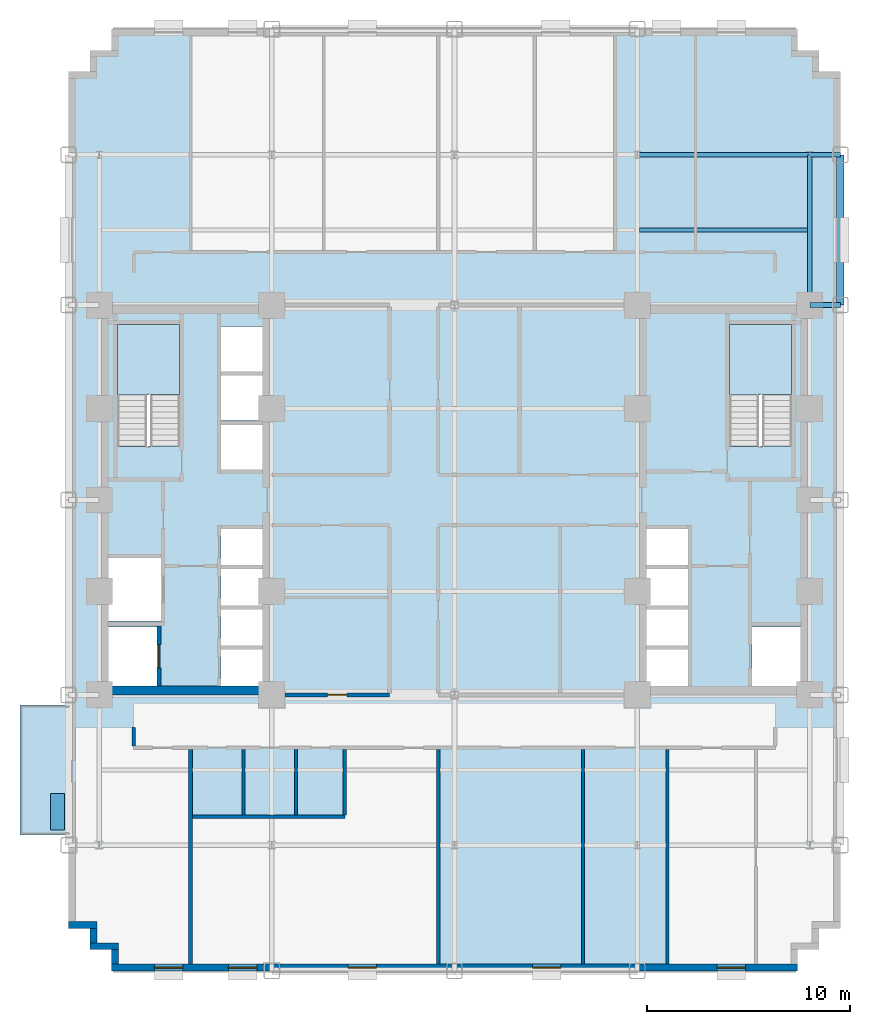
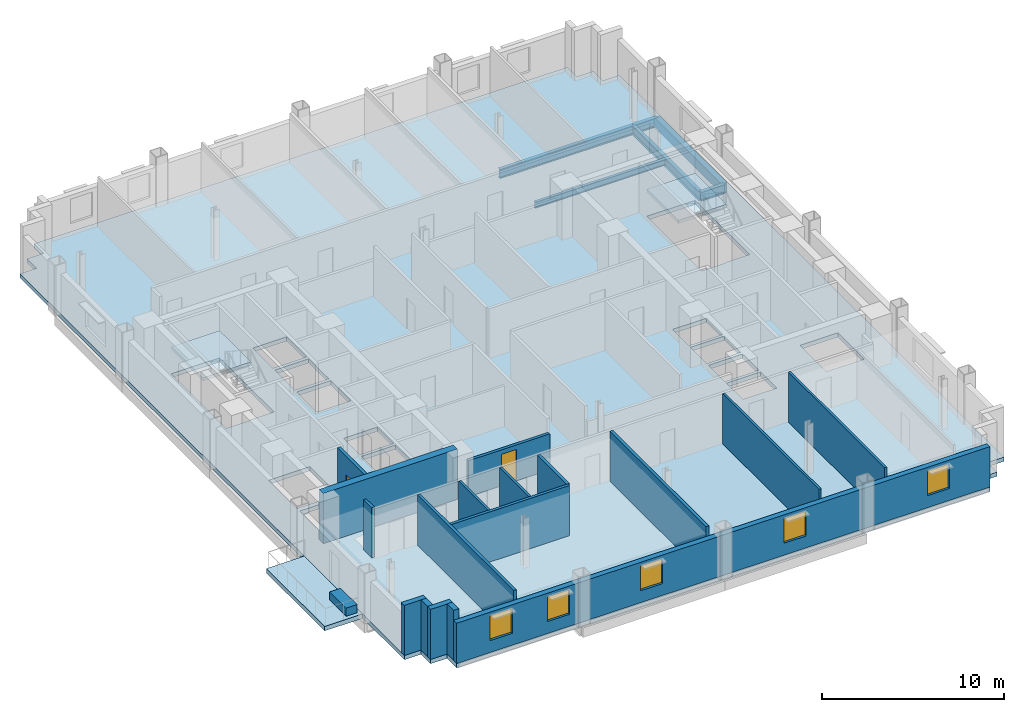
# One storey, part 4 of 12: 17 walls, 6 beams, 5 windows, 4 slabs, 2 doors, 1 plate, 7 openings, 2 elements without a shape of their own.
"""IFC4 building model written with IfcOpenShell, lengths in metres."""

from ifc_helpers import new_model, si_unit, direction, frame, frame_2d, origin, origin_2d, place, context, subcontext, project, spatial, polyline, rectangle, i_section, outline, extrude, source, transform, mapped, material, layer, layer_set, material_profile, profile_set, type_object, type_shapes, element, fill, aggregate, save


model = new_model("IFC4")

# Units and contexts
model_context = context("Model", 3, precision=1e-05, world=origin(), true_north=direction((0.0, 1.0)))
body_context = subcontext(model_context, "Body", "Model", "MODEL_VIEW")
ifc_project = project(units=[si_unit("LENGTHUNIT", "METRE"), si_unit("AREAUNIT", "SQUARE_METRE"), si_unit("VOLUMEUNIT", "CUBIC_METRE"), si_unit("PLANEANGLEUNIT", "RADIAN"), si_unit("MASSUNIT", "GRAM", prefix="KILO")], contexts=[model_context])

# Site, building, storey
site_placement = place(None, origin())
site = spatial("IfcSite", under=ifc_project, at=site_placement, CompositionType="ELEMENT")
building_placement = place(site_placement, origin())
building = spatial("IfcBuilding", under=site, at=building_placement, Name="Nuvemarco Arch Tower", CompositionType="ELEMENT")
storey_placement = place(building_placement, frame((0.0, 0.0, 49.5)))
storey = spatial("IfcBuildingStorey", under=building, at=storey_placement, Name="L12", CompositionType="ELEMENT", Elevation=49.5)

# Beams
ifc_material_1 = material(Name="Steel S355", Category="steel")
ifc_material_profile_1 = material_profile(ifc_material_1, i_section(OverallWidth=0.22998046875, OverallDepth=0.616943359375, WebThickness=0.01318359375, FlangeThickness=0.022216796875, FilletRadius=0.01611328125, at=origin_2d()), Name="W610x140")
ifc_profile_set_1 = profile_set([ifc_material_profile_1], Name="Steel S355")
beam_type_1 = type_object("IfcBeamType", Name="BM-GIRD-610", PredefinedType="BEAM", material=ifc_profile_set_1)
beam_1_placement = place(storey_placement, frame((17.5, 9.60009765625, -0.58837890625), z_axis=(0.0, 1.0, 0.0), x_axis=(-1.0, 0.0, 0.0)))
element("IfcBeam", 1, at=beam_1_placement, inside=storey, type_object=beam_type_1, Name="L12 structural beam BGNS_L12_0_+17.5_+9.6", PredefinedType="BEAM", context=body_context, shape_type="SweptSolid", body=[
    extrude(i_section(OverallWidth=0.22998046875, OverallDepth=0.616943359375, WebThickness=0.01318359375, FlangeThickness=0.022216796875, FilletRadius=0.01611328125, at=origin_2d()), origin(), (0.0, 0.0, 1.0), 7.39990234375),
])
beam_2_placement = place(storey_placement, frame((17.5, 9.60009765625, -0.58837890625), z_axis=(1.0, 0.0, 0.0), x_axis=(0.0, 1.0, 0.0)))
element("IfcBeam", 2, at=beam_2_placement, inside=storey, type_object=beam_type_1, Name="L12 structural beam BGEW_L12_0_+9.6_+17.5", PredefinedType="BEAM", context=body_context, shape_type="SweptSolid", body=[
    extrude(i_section(OverallWidth=0.22998046875, OverallDepth=0.616943359375, WebThickness=0.01318359375, FlangeThickness=0.022216796875, FilletRadius=0.01611328125, at=origin_2d()), origin(), (0.0, 0.0, 1.0), 1.5),
])
beam_3_placement = place(storey_placement, frame((9.0, 17.0, -0.58837890625), z_axis=(1.0, 0.0, 0.0), x_axis=(0.0, 1.0, 0.0)))
element("IfcBeam", 3, at=beam_3_placement, inside=storey, type_object=beam_type_1, Name="L12 structural beam BGEW_L12_0_+17.0_+9.0", PredefinedType="BEAM", context=body_context, shape_type="SweptSolid", body=[
    extrude(i_section(OverallWidth=0.22998046875, OverallDepth=0.616943359375, WebThickness=0.01318359375, FlangeThickness=0.022216796875, FilletRadius=0.01611328125, at=origin_2d()), origin(), (0.0, 0.0, 1.0), 8.5),
])
beam_4_placement = place(storey_placement, frame((17.5, 17.0, -0.58837890625), z_axis=(1.0, 0.0, 0.0), x_axis=(0.0, 1.0, 0.0)))
element("IfcBeam", 4, at=beam_4_placement, inside=storey, type_object=beam_type_1, Name="L12 structural beam BGEW_L12_0_+17.0_+17.5", PredefinedType="BEAM", context=body_context, shape_type="SweptSolid", body=[
    extrude(i_section(OverallWidth=0.22998046875, OverallDepth=0.616943359375, WebThickness=0.01318359375, FlangeThickness=0.022216796875, FilletRadius=0.01611328125, at=origin_2d()), origin(), (0.0, 0.0, 1.0), 1.5),
])
ifc_material_profile_2 = material_profile(ifc_material_1, i_section(OverallWidth=0.179931640625, OverallDepth=0.4130859375, WebThickness=0.009765625, FlangeThickness=0.01611328125, FilletRadius=0.014892578125, at=origin_2d()), Name="W410x75")
ifc_profile_set_2 = profile_set([ifc_material_profile_2], Name="Steel S355")
beam_type_2 = type_object("IfcBeamType", Name="BM-JOIST-410", PredefinedType="JOIST", material=ifc_profile_set_2)
beam_5_placement = place(storey_placement, frame((9.114990234375, 13.300048828125, -0.486572265625), z_axis=(1.0, 0.0, 0.0), x_axis=(0.0, 1.0, 0.0)))
element("IfcBeam", 5, at=beam_5_placement, inside=storey, type_object=beam_type_2, Name="L12 structural beam BJ_L12_0_+13.3_+9.0", PredefinedType="JOIST", context=body_context, shape_type="SweptSolid", body=[
    extrude(i_section(OverallWidth=0.179931640625, OverallDepth=0.4130859375, WebThickness=0.009765625, FlangeThickness=0.01611328125, FilletRadius=0.014892578125, at=origin_2d()), origin(), (0.0, 0.0, 1.0), 8.27001953125),
])
ifc_material_2 = material(Name="Precast concrete C45/55", Category="concrete")
ifc_material_profile_3 = material_profile(ifc_material_2, rectangle(XDim=0.35009765625, YDim=0.64990234375, at=origin_2d()), Name="PC-SP-350x650")
ifc_profile_set_3 = profile_set([ifc_material_profile_3], Name="Precast concrete C45/55")
beam_type_3 = type_object("IfcBeamType", Name="BM-SPAN-RC", PredefinedType="SPANDREL", material=ifc_profile_set_3)
beam_6_placement = place(storey_placement, frame((19.0, 9.60009765625, -0.60498046875), z_axis=(0.0, 1.0, 0.0), x_axis=(-1.0, 0.0, 0.0)))
element("IfcBeam", 6, at=beam_6_placement, inside=storey, type_object=beam_type_3, Name="L12 structural beam BGNS_L12_0_+19.0_+9.6", PredefinedType="SPANDREL", context=body_context, shape_type="SweptSolid", body=[
    extrude(rectangle(XDim=0.35009765625, YDim=0.64990234375, at=origin_2d()), origin(), (0.0, 0.0, 1.0), 7.39990234375),
])

# Slab
ifc_material_3 = material(Name="Concrete C50/60", Category="concrete")
ifc_layer_1 = layer(ifc_material_3, 0.280029296875, Name="SL-FLR-280")
ifc_layer_set_1 = layer_set([ifc_layer_1], Name="Concrete C50/60")
slab_type_1 = type_object("IfcSlabType", Name="SL-FLR-280", PredefinedType="FLOOR", material=ifc_layer_set_1)
slab_1_placement = place(storey_placement, frame((0.0, 0.0, -0.280029296875)))
element("IfcSlab", 7, at=slab_1_placement, inside=storey, type_object=slab_type_1, Name="L12 structural floor slab", PredefinedType="FLOOR", context=body_context, shape_type="SweptSolid", body=[
    extrude(outline(polyline([(-16.89990234375, -23.199951171875), (16.89990234375, -23.199951171875), (16.89990234375, -22.14990234375), (17.949951171875, -22.14990234375), (17.949951171875, -21.10009765625), (19.0, -21.10009765625), (19.0, 21.10009765625), (17.949951171875, 21.10009765625), (17.949951171875, 22.14990234375), (16.89990234375, 22.14990234375), (16.89990234375, 23.199951171875), (-16.89990234375, 23.199951171875), (-16.89990234375, 22.14990234375), (-17.949951171875, 22.14990234375), (-17.949951171875, 21.10009765625), (-19.0, 21.10009765625), (-19.0, -21.10009765625), (-17.949951171875, -21.10009765625), (-17.949951171875, -22.14990234375), (-16.89990234375, -22.14990234375), (-16.89990234375, -23.199951171875)]), holes=[polyline([(-13.5400390625, 2.669921875), (-13.5400390625, 8.64990234375), (-16.60009765625, 8.64990234375), (-16.60009765625, 2.630615234375), (-15.070068359375, 2.630615234375), (-15.070068359375, 2.669921875), (-13.5400390625, 2.669921875)]), polyline([(16.60009765625, 2.669921875), (16.60009765625, 8.64990234375), (13.5400390625, 8.64990234375), (13.5400390625, 2.630615234375), (15.070068359375, 2.630615234375), (15.070068359375, 2.669921875), (16.60009765625, 2.669921875)]), polyline([(-17.050048828125, -9.14990234375), (-14.64990234375, -9.14990234375), (-14.64990234375, -6.25), (-17.050048828125, -6.25), (-17.050048828125, -9.14990234375)]), polyline([(-17.050048828125, -5.949951171875), (-14.449951171875, -5.949951171875), (-14.449951171875, -2.85009765625), (-17.050048828125, -2.85009765625), (-17.050048828125, -5.949951171875)]), polyline([(-11.5, -9.14990234375), (-9.35009765625, -9.14990234375), (-9.35009765625, -7.3701171875), (-11.5, -7.3701171875), (-11.5, -9.14990234375)]), polyline([(-11.5, -7.169921875), (-9.35009765625, -7.169921875), (-9.35009765625, -5.389892578125), (-11.5, -5.389892578125), (-11.5, -7.169921875)]), polyline([(-11.5, -5.18994140625), (-9.35009765625, -5.18994140625), (-9.35009765625, -3.409912109375), (-11.5, -3.409912109375), (-11.5, -5.18994140625)]), polyline([(-11.5, -3.2099609375), (-9.35009765625, -3.2099609375), (-9.35009765625, -1.429931640625), (-11.5, -1.429931640625), (-11.5, -3.2099609375)]), polyline([(-11.5, 1.5), (-9.35009765625, 1.5), (-9.35009765625, 3.699951171875), (-11.5, 3.699951171875), (-11.5, 1.5)]), polyline([(-11.5, 3.919921875), (-9.35009765625, 3.919921875), (-9.35009765625, 6.1201171875), (-11.5, 6.1201171875), (-11.5, 3.919921875)]), polyline([(-11.5, 6.340087890625), (-9.35009765625, 6.340087890625), (-9.35009765625, 8.5400390625), (-11.5, 8.5400390625), (-11.5, 6.340087890625)]), polyline([(14.64990234375, -9.14990234375), (17.050048828125, -9.14990234375), (17.050048828125, -6.25), (14.64990234375, -6.25), (14.64990234375, -9.14990234375)]), polyline([(9.35009765625, -9.14990234375), (11.5, -9.14990234375), (11.5, -7.3701171875), (9.35009765625, -7.3701171875), (9.35009765625, -9.14990234375)]), polyline([(9.35009765625, -7.169921875), (11.5, -7.169921875), (11.5, -5.389892578125), (9.35009765625, -5.389892578125), (9.35009765625, -7.169921875)]), polyline([(9.35009765625, -5.18994140625), (11.5, -5.18994140625), (11.5, -3.409912109375), (9.35009765625, -3.409912109375), (9.35009765625, -5.18994140625)]), polyline([(9.35009765625, -3.2099609375), (11.5, -3.2099609375), (11.5, -1.429931640625), (9.35009765625, -1.429931640625), (9.35009765625, -3.2099609375)])]), origin(), (0.0, 0.0, 1.0), 0.280029296875),
])

# Stair, slab
stair_type = type_object("IfcStairType", Name="ST-CORE-20R", PredefinedType="HALF_TURN_STAIR", material=ifc_material_2)
stair_1_placement = place(storey_placement, origin())
stair_1 = element("IfcStair", 8, at=stair_1_placement, inside=storey, type_object=stair_type, Name="L12 Protected Exit Stair ST-1", PredefinedType="HALF_TURN_STAIR")
ifc_layer_2 = layer(ifc_material_2, 0.199951171875, Name="SL-LANDING-200")
ifc_layer_set_2 = layer_set([ifc_layer_2], Name="Precast concrete C45/55")
slab_type_2 = type_object("IfcSlabType", Name="SL-LANDING-200", PredefinedType="LANDING", material=ifc_layer_set_2)
slab_2_placement = place(storey_placement, frame((0.0, 0.0, 1.625)))
slab_2 = element("IfcSlab", 9, at=slab_2_placement, type_object=slab_type_2, Name="ST-20R landing 1", PredefinedType="LANDING", context=body_context, shape_type="SweptSolid", body=[
    extrude(outline(polyline([(-13.5400390625, 5.189453125), (-13.5400390625, 8.64990234375), (-16.60009765625, 8.64990234375), (-16.60009765625, 5.169921875), (-15.070068359375, 5.169921875), (-15.070068359375, 5.189453125), (-13.5400390625, 5.189453125)])), origin(), (0.0, 0.0, 1.0), 0.199951171875),
])
aggregate(stair_1, [slab_2])

stair_2_placement = place(storey_placement, origin())
stair_2 = element("IfcStair", 10, at=stair_2_placement, inside=storey, type_object=stair_type, Name="L12 Protected Exit Stair ST-2", PredefinedType="HALF_TURN_STAIR")
slab_3_placement = place(storey_placement, frame((0.0, 0.0, 1.625)))
slab_3 = element("IfcSlab", 11, at=slab_3_placement, type_object=slab_type_2, Name="ST-20R landing 1", PredefinedType="LANDING", context=body_context, shape_type="SweptSolid", body=[
    extrude(outline(polyline([(16.60009765625, 5.189453125), (16.60009765625, 8.64990234375), (13.5400390625, 8.64990234375), (13.5400390625, 5.169921875), (15.070068359375, 5.169921875), (15.070068359375, 5.189453125), (16.60009765625, 5.189453125)])), origin(), (0.0, 0.0, 1.0), 0.199951171875),
])
aggregate(stair_2, [slab_3])

# Slab
ifc_layer_3 = layer(ifc_material_3, 0.294921875, Name="SL-TR4")
ifc_layer_set_3 = layer_set([ifc_layer_3], Name="Concrete C50/60")
slab_type_3 = type_object("IfcSlabType", Name="SL-TR4", PredefinedType="FLOOR", material=ifc_layer_set_3)
slab_4_placement = place(storey_placement, frame((0.0, 0.0, -0.294921875)))
element("IfcSlab", 12, at=slab_4_placement, inside=storey, type_object=slab_type_3, Name="L12 outdoor spiral terrace slab 1", PredefinedType="FLOOR", context=body_context, shape_type="SweptSolid", body=[
    extrude(outline(polyline([(-21.39990234375, -16.5), (-19.0, -16.5), (-19.0, -10.10009765625), (-21.39990234375, -10.10009765625), (-21.39990234375, -16.5)])), origin(), (0.0, 0.0, 1.0), 0.294921875),
])

# Plate
ifc_layer_4 = layer(ifc_material_2, 0.550048828125, Name="Tree Balcony Structural Planter")
ifc_layer_set_4 = layer_set([ifc_layer_4], Name="Precast concrete C45/55")
plate_type = type_object("IfcPlateType", Name="Tree Balcony Structural Planter", PredefinedType="USERDEFINED", material=ifc_layer_set_4)
shared_shape_1 = source(origin(), body_context, "Body", "SweptSolid", [
    extrude(rectangle(XDim=1.800048828125, YDim=0.699951171875, at=origin_2d()), origin(), (0.0, 0.0, 1.0), 0.550048828125),
])
type_shapes(plate_type, [shared_shape_1])
plate_placement = place(storey_placement, frame((-19.550048828125, -15.35009765625, 0.0), z_axis=(0.0, 0.0, 1.0), x_axis=(0.0, 1.0, 0.0)))
element("IfcPlate", 13, at=plate_placement, inside=storey, type_object=plate_type, Name="L12 Tree Balcony Structural Planter", ObjectType="PLANTER", PredefinedType="USERDEFINED", context=body_context, shape_type="MappedRepresentation", body=[
    mapped(shared_shape_1, transform((0.0, 0.0, 0.0), scale=1.0)),
])

# Wall, openings, windows
ifc_layer_5 = layer(ifc_material_2, 0.340087890625, Name="EW-LOW-340")
ifc_layer_set_5 = layer_set([ifc_layer_5], Name="Precast concrete C45/55")
wall_type_1 = type_object("IfcWallType", Name="EW-LOW-340", PredefinedType="STANDARD", material=ifc_layer_set_5)
wall_1_placement = place(storey_placement, frame((-16.89990234375, -23.030029296875, 0.0), z_axis=(0.0, 0.0, 1.0), x_axis=(1.0, 0.0, 0.0)))
wall_1 = element("IfcWall", 14, at=wall_1_placement, inside=storey, type_object=wall_type_1, Name="L12 exterior precast facade wall 1", PredefinedType="STANDARD", context=body_context, shape_type="SweptSolid", body=[
    extrude(rectangle(XDim=33.7998046875, YDim=0.340087890625, at=frame_2d((16.89990234375, 0.0))), origin(), (0.0, 0.0, 1.0), 2.705078125),
])
opening_1_placement = place(wall_1_placement, frame((2.121337890625, 0.0, 0.800048828125)))
opening_1 = element("IfcOpeningElement", 15, at=opening_1_placement, cuts=wall_1, Name="Opening WN-4", PredefinedType="OPENING", context=body_context, shape_type="SweptSolid", body=[
    extrude(rectangle(XDim=1.39990234375, YDim=1.64990234375, at=frame_2d((0.699951171875, 0.824951171875))), frame((0.0, 0.179931640625, 0.0), z_axis=(0.0, -1.0, 0.0), x_axis=(1.0, 0.0, 0.0)), (0.0, 0.0, 1.0), 0.360107421875),
])
opening_2_placement = place(wall_1_placement, frame((5.764404296875, 0.0, 0.800048828125)))
opening_2 = element("IfcOpeningElement", 16, at=opening_2_placement, cuts=wall_1, Name="Opening WN-4", PredefinedType="OPENING", context=body_context, shape_type="SweptSolid", body=[
    extrude(rectangle(XDim=1.39990234375, YDim=1.64990234375, at=frame_2d((0.699951171875, 0.824951171875))), frame((0.0, 0.179931640625, 0.0), z_axis=(0.0, -1.0, 0.0), x_axis=(1.0, 0.0, 0.0)), (0.0, 0.0, 1.0), 0.360107421875),
])
opening_3_placement = place(wall_1_placement, frame((11.656982421875, 0.0, 0.800048828125)))
opening_3 = element("IfcOpeningElement", 17, at=opening_3_placement, cuts=wall_1, Name="Opening WN-4", PredefinedType="OPENING", context=body_context, shape_type="SweptSolid", body=[
    extrude(rectangle(XDim=1.39990234375, YDim=1.64990234375, at=frame_2d((0.699951171875, 0.824951171875))), frame((0.0, 0.179931640625, 0.0), z_axis=(0.0, -1.0, 0.0), x_axis=(1.0, 0.0, 0.0)), (0.0, 0.0, 1.0), 0.360107421875),
])
opening_4_placement = place(wall_1_placement, frame((20.742919921875, 0.0, 0.800048828125)))
opening_4 = element("IfcOpeningElement", 18, at=opening_4_placement, cuts=wall_1, Name="Opening WN-4", PredefinedType="OPENING", context=body_context, shape_type="SweptSolid", body=[
    extrude(rectangle(XDim=1.39990234375, YDim=1.64990234375, at=frame_2d((0.699951171875, 0.824951171875))), frame((0.0, 0.179931640625, 0.0), z_axis=(0.0, -1.0, 0.0), x_axis=(1.0, 0.0, 0.0)), (0.0, 0.0, 1.0), 0.360107421875),
])
opening_5_placement = place(wall_1_placement, frame((29.82861328125, 0.0, 0.800048828125)))
opening_5 = element("IfcOpeningElement", 19, at=opening_5_placement, cuts=wall_1, Name="Opening WN-4", PredefinedType="OPENING", context=body_context, shape_type="SweptSolid", body=[
    extrude(rectangle(XDim=1.39990234375, YDim=1.64990234375, at=frame_2d((0.699951171875, 0.824951171875))), frame((0.0, 0.179931640625, 0.0), z_axis=(0.0, -1.0, 0.0), x_axis=(1.0, 0.0, 0.0)), (0.0, 0.0, 1.0), 0.360107421875),
])
ifc_material_4 = material(Name="Insulated solar-control glass", Category="glass")
window_type = type_object("IfcWindowType", Name="WN-LOW-1400x1650", PartitioningType="SINGLE_PANEL", PredefinedType="WINDOW", material=ifc_material_4)
shared_shape_2 = source(origin(), body_context, "Body", "SweptSolid", [
    extrude(rectangle(XDim=1.39990234375, YDim=1.64990234375, at=frame_2d((0.699951171875, 0.824951171875))), frame((0.0, 0.030029296875, 0.0), z_axis=(0.0, -1.0, 0.0), x_axis=(1.0, 0.0, 0.0)), (0.0, 0.0, 1.0), 0.06005859375),
])
type_shapes(window_type, [shared_shape_2])
window_1_placement = place(opening_1_placement, origin())
window_1 = element("IfcWindow", 20, at=window_1_placement, inside=storey, type_object=window_type, Name="L12 punched facade window 1", OverallHeight=1.64990234375, OverallWidth=1.39990234375, PartitioningType="SINGLE_PANEL", PredefinedType="WINDOW", context=body_context, shape_type="MappedRepresentation", body=[
    mapped(shared_shape_2, transform((0.0, 0.0, 0.0), scale=1.0)),
])
fill(opening_1, window_1)
window_2_placement = place(opening_2_placement, origin())
window_2 = element("IfcWindow", 21, at=window_2_placement, inside=storey, type_object=window_type, Name="L12 punched facade window 2", OverallHeight=1.64990234375, OverallWidth=1.39990234375, PartitioningType="SINGLE_PANEL", PredefinedType="WINDOW", context=body_context, shape_type="MappedRepresentation", body=[
    mapped(shared_shape_2, transform((0.0, 0.0, 0.0), scale=1.0)),
])
fill(opening_2, window_2)
window_3_placement = place(opening_3_placement, origin())
window_3 = element("IfcWindow", 22, at=window_3_placement, inside=storey, type_object=window_type, Name="L12 punched facade window 3", OverallHeight=1.64990234375, OverallWidth=1.39990234375, PartitioningType="SINGLE_PANEL", PredefinedType="WINDOW", context=body_context, shape_type="MappedRepresentation", body=[
    mapped(shared_shape_2, transform((0.0, 0.0, 0.0), scale=1.0)),
])
fill(opening_3, window_3)
window_4_placement = place(opening_4_placement, origin())
window_4 = element("IfcWindow", 23, at=window_4_placement, inside=storey, type_object=window_type, Name="L12 punched facade window 5", OverallHeight=1.64990234375, OverallWidth=1.39990234375, PartitioningType="SINGLE_PANEL", PredefinedType="WINDOW", context=body_context, shape_type="MappedRepresentation", body=[
    mapped(shared_shape_2, transform((0.0, 0.0, 0.0), scale=1.0)),
])
fill(opening_4, window_4)
window_5_placement = place(opening_5_placement, origin())
window_5 = element("IfcWindow", 24, at=window_5_placement, inside=storey, type_object=window_type, Name="L12 punched facade window 7", OverallHeight=1.64990234375, OverallWidth=1.39990234375, PartitioningType="SINGLE_PANEL", PredefinedType="WINDOW", context=body_context, shape_type="MappedRepresentation", body=[
    mapped(shared_shape_2, transform((0.0, 0.0, 0.0), scale=1.0)),
])
fill(opening_5, window_5)

# Walls
wall_2_placement = place(storey_placement, frame((-19.0, -20.929931640625, 0.0), z_axis=(0.0, 0.0, 1.0), x_axis=(1.0, 0.0, 0.0)))
element("IfcWall", 25, at=wall_2_placement, inside=storey, type_object=wall_type_1, Name="L12 exterior precast facade wall 17", PredefinedType="STANDARD", context=body_context, shape_type="SweptSolid", body=[
    extrude(rectangle(XDim=1.389892578125, YDim=0.340087890625, at=frame_2d((0.69482421875, 0.0))), origin(), (0.0, 0.0, 1.0), 3.360107421875),
])
wall_3_placement = place(storey_placement, frame((-17.780029296875, -21.81396484375, 0.0), z_axis=(0.0, 0.0, 1.0), x_axis=(0.0, 1.0, 0.0)))
element("IfcWall", 26, at=wall_3_placement, inside=storey, type_object=wall_type_1, Name="L12 exterior precast facade wall 18", PredefinedType="STANDARD", context=body_context, shape_type="SweptSolid", body=[
    extrude(rectangle(XDim=0.718017578125, YDim=0.340087890625, at=frame_2d((0.35888671875, 0.0))), origin(), (0.0, 0.0, 1.0), 3.360107421875),
])
wall_4_placement = place(storey_placement, frame((-17.949951171875, -21.97998046875, 0.0), z_axis=(0.0, 0.0, 1.0), x_axis=(1.0, 0.0, 0.0)))
element("IfcWall", 27, at=wall_4_placement, inside=storey, type_object=wall_type_1, Name="L12 exterior precast facade wall 19", PredefinedType="STANDARD", context=body_context, shape_type="SweptSolid", body=[
    extrude(rectangle(XDim=1.389892578125, YDim=0.340087890625, at=frame_2d((0.69482421875, 0.0))), origin(), (0.0, 0.0, 1.0), 3.360107421875),
])
wall_5_placement = place(storey_placement, frame((-16.72998046875, -22.864013671875, 0.0), z_axis=(0.0, 0.0, 1.0), x_axis=(0.0, 1.0, 0.0)))
element("IfcWall", 28, at=wall_5_placement, inside=storey, type_object=wall_type_1, Name="L12 exterior precast facade wall 20", PredefinedType="STANDARD", context=body_context, shape_type="SweptSolid", body=[
    extrude(rectangle(XDim=0.718017578125, YDim=0.340087890625, at=frame_2d((0.35888671875, 0.0))), origin(), (0.0, 0.0, 1.0), 3.360107421875),
])
ifc_material_5 = material(Name="Concrete C60/75", Category="concrete")
ifc_layer_6 = layer(ifc_material_5, 0.449951171875, Name="WL-CORE-450")
ifc_layer_set_6 = layer_set([ifc_layer_6], Name="Concrete C60/75")
wall_type_2 = type_object("IfcWallType", Name="WL-CORE-450", PredefinedType="SHEAR", material=ifc_layer_set_6)
wall_6_placement = place(storey_placement, frame((-17.5, -9.375, 0.0), z_axis=(0.0, 0.0, 1.0), x_axis=(1.0, 0.0, 0.0)))
element("IfcWall", 29, at=wall_6_placement, inside=storey, type_object=wall_type_2, Name="L12 W-core shear wall S", PredefinedType="SHEAR", context=body_context, shape_type="SweptSolid", body=[
    extrude(rectangle(XDim=8.5, YDim=0.449951171875, at=frame_2d((4.25, 0.0))), origin(), (0.0, 0.0, 1.0), 3.3701171875),
])
ifc_material_6 = material(Name="Fire-rated gypsum drywall partition")
ifc_layer_7 = layer(ifc_material_6, 0.179931640625, Name="WL-CORR-180")
ifc_layer_set_7 = layer_set([ifc_layer_7], Name="Fire-rated gypsum drywall partition")
wall_type_3 = type_object("IfcWallType", Name="WL-CORR-180", PredefinedType="PARTITIONING", material=ifc_layer_set_7)
wall_7_placement = place(storey_placement, frame((-12.9140625, -15.60009765625, 0.0), z_axis=(0.0, 0.0, 1.0), x_axis=(1.0, 0.0, 0.0)))
element("IfcWall", 30, at=wall_7_placement, inside=storey, type_object=wall_type_3, Name="L12 interior wall IW-L12-001", PredefinedType="PARTITIONING", context=body_context, shape_type="SweptSolid", body=[
    extrude(rectangle(XDim=7.51416015625, YDim=0.179931640625, at=frame_2d((3.757080078125, 0.0))), origin(), (0.0, 0.0, 1.0), 3.360107421875),
])

# Wall, opening, door
wall_8_placement = place(storey_placement, frame((-8.35400390625, -9.60009765625, 0.0), z_axis=(0.0, 0.0, 1.0), x_axis=(1.0, 0.0, 0.0)))
wall_8 = element("IfcWall", 31, at=wall_8_placement, inside=storey, type_object=wall_type_3, Name="L12 interior wall IW-L12-003", PredefinedType="PARTITIONING", context=body_context, shape_type="SweptSolid", body=[
    extrude(rectangle(XDim=5.154052734375, YDim=0.179931640625, at=frame_2d((2.5771484375, 0.0))), origin(), (0.0, 0.0, 1.0), 2.405029296875),
])
opening_6_placement = place(wall_8_placement, frame((2.096923828125, 0.0, 0.0)))
opening_6 = element("IfcOpeningElement", 32, at=opening_6_placement, cuts=wall_8, Name="Opening FD-5", PredefinedType="OPENING", context=body_context, shape_type="SweptSolid", body=[
    extrude(rectangle(XDim=0.9599609375, YDim=2.10009765625, at=frame_2d((0.47998046875, 1.050048828125))), frame((0.0, 0.099853515625, 0.0), z_axis=(0.0, -1.0, 0.0), x_axis=(1.0, 0.0, 0.0)), (0.0, 0.0, 1.0), 0.199951171875),
])
ifc_material_7 = material(Name="Timber fire door", Category="wood")
door_type_1 = type_object("IfcDoorType", Name="DR-CORR-FD", OperationType="NOTDEFINED", PredefinedType="DOOR", material=ifc_material_7)
shared_shape_3 = source(origin(), body_context, "Body", "SweptSolid", [
    extrude(rectangle(XDim=0.9599609375, YDim=2.10009765625, at=frame_2d((0.47998046875, 1.050048828125))), frame((0.0, 0.02490234375, 0.0), z_axis=(0.0, -1.0, 0.0), x_axis=(1.0, 0.0, 0.0)), (0.0, 0.0, 1.0), 0.050048828125),
])
type_shapes(door_type_1, [shared_shape_3])
door_1_placement = place(opening_6_placement, origin())
door_1 = element("IfcDoor", 33, at=door_1_placement, inside=storey, type_object=door_type_1, Name="L12 door DR-L12-C_SW2", OperationType="SINGLE_SWING_LEFT", OverallHeight=2.10009765625, OverallWidth=0.9599609375, PredefinedType="DOOR", context=body_context, shape_type="MappedRepresentation", body=[
    mapped(shared_shape_3, transform((0.0, 0.0, 0.0), scale=1.0)),
])
fill(opening_6, door_1)

# Walls
wall_9_placement = place(storey_placement, frame((-15.800048828125, -12.114013671875, 0.0), z_axis=(0.0, 0.0, 1.0), x_axis=(0.0, 1.0, 0.0)))
element("IfcWall", 34, at=wall_9_placement, inside=storey, type_object=wall_type_3, Name="L12 interior wall IW-L12-015", PredefinedType="PARTITIONING", context=body_context, shape_type="SweptSolid", body=[
    extrude(rectangle(XDim=0.9140625, YDim=0.179931640625, at=frame_2d((0.45703125, 0.0))), origin(), (0.0, 0.0, 1.0), 3.360107421875),
])
wall_10_placement = place(storey_placement, frame((-13.0, -22.860107421875, 0.0), z_axis=(0.0, 0.0, 1.0), x_axis=(0.0, 1.0, 0.0)))
element("IfcWall", 35, at=wall_10_placement, inside=storey, type_object=wall_type_3, Name="L12 interior wall IW-L12-017", PredefinedType="PARTITIONING", context=body_context, shape_type="SweptSolid", body=[
    extrude(rectangle(XDim=10.57421875, YDim=0.179931640625, at=frame_2d((5.287109375, 0.0))), origin(), (0.0, 0.0, 1.0), 3.360107421875),
])
wall_11_placement = place(storey_placement, frame((-5.39990234375, -15.513916015625, 0.0), z_axis=(0.0, 0.0, 1.0), x_axis=(0.0, 1.0, 0.0)))
element("IfcWall", 36, at=wall_11_placement, inside=storey, type_object=wall_type_3, Name="L12 interior wall IW-L12-022", PredefinedType="PARTITIONING", context=body_context, shape_type="SweptSolid", body=[
    extrude(rectangle(XDim=3.22802734375, YDim=0.179931640625, at=frame_2d((1.614013671875, 0.0))), origin(), (0.0, 0.0, 1.0), 3.360107421875),
])
wall_12_placement = place(storey_placement, frame((-0.800048828125, -22.860107421875, 0.0), z_axis=(0.0, 0.0, 1.0), x_axis=(0.0, 1.0, 0.0)))
element("IfcWall", 37, at=wall_12_placement, inside=storey, type_object=wall_type_3, Name="L12 interior wall IW-L12-025", PredefinedType="PARTITIONING", context=body_context, shape_type="SweptSolid", body=[
    extrude(rectangle(XDim=10.57421875, YDim=0.179931640625, at=frame_2d((5.287109375, 0.0))), origin(), (0.0, 0.0, 1.0), 3.360107421875),
])
ifc_material_8 = material(Name="Gypsum plasterboard partition")
ifc_layer_8 = layer(ifc_material_8, 0.139892578125, Name="WL-ROOM-140")
ifc_layer_set_8 = layer_set([ifc_layer_8], Name="Gypsum plasterboard partition")
wall_type_4 = type_object("IfcWallType", Name="WL-ROOM-140", PredefinedType="PARTITIONING", material=ifc_layer_set_8)
for number, where, z_axis, x_axis, name in (
    (38, (6.330078125, -22.860107421875, 0.0), (0.0, 0.0, 1.0), (0.0, 1.0, 0.0), "L12 interior wall IW-L12-032"),
    (39, (10.489990234375, -22.860107421875, 0.0), (0.0, 0.0, 1.0), (0.0, 1.0, 0.0), "L12 interior wall IW-L12-034"),
):
    element("IfcWall", number, at=place(storey_placement, frame(where, z_axis=z_axis, x_axis=x_axis)), inside=storey, type_object=wall_type_4, Name=name, PredefinedType="PARTITIONING", context=body_context, shape_type="SweptSolid", body=[
        extrude(rectangle(XDim=10.57421875, YDim=0.139892578125, at=frame_2d((5.287109375, 0.0))), origin(), (0.0, 0.0, 1.0), 3.360107421875),
    ])

# Wall, opening, door
ifc_layer_9 = layer(ifc_material_3, 0.199951171875, Name="WL-SHAFT-220")
ifc_layer_set_9 = layer_set([ifc_layer_9], Name="Concrete C50/60")
wall_type_5 = type_object("IfcWallType", Name="WL-SHAFT-220", PredefinedType="SHEAR", material=ifc_layer_set_9)
wall_13_placement = place(storey_placement, frame((-14.550048828125, -9.155029296875, 0.0), z_axis=(0.0, 0.0, 1.0), x_axis=(0.0, 1.0, 0.0)))
wall_13 = element("IfcWall", 40, at=wall_13_placement, inside=storey, type_object=wall_type_5, Name="L12 structural shaft wall SW-L12-W-SHE", PredefinedType="SHEAR", context=body_context, shape_type="SweptSolid", body=[
    extrude(rectangle(XDim=2.9599609375, YDim=0.199951171875, at=frame_2d((1.47998046875, 0.0))), origin(), (0.0, 0.0, 1.0), 3.3701171875),
])
opening_7_placement = place(wall_13_placement, frame((0.8798828125, 0.0, 0.0)))
opening_7 = element("IfcOpeningElement", 41, at=opening_7_placement, cuts=wall_13, Name="Opening LD-2", PredefinedType="OPENING", context=body_context, shape_type="SweptSolid", body=[
    extrude(rectangle(XDim=1.14990234375, YDim=2.14990234375, at=frame_2d((0.574951171875, 1.074951171875))), frame((0.0, 0.10986328125, 0.0), z_axis=(0.0, -1.0, 0.0), x_axis=(1.0, 0.0, 0.0)), (0.0, 0.0, 1.0), 0.219970703125),
])
ifc_material_9 = material(Name="Stainless steel lift door", Category="steel")
door_type_2 = type_object("IfcDoorType", Name="DR-LIFT-FIRE", OperationType="DOUBLE_DOOR_SLIDING", PredefinedType="DOOR", material=ifc_material_9)
shared_shape_4 = source(origin(), body_context, "Body", "SweptSolid", [
    extrude(rectangle(XDim=1.14990234375, YDim=2.14990234375, at=frame_2d((0.574951171875, 1.074951171875))), frame((0.0, 0.02490234375, 0.0), z_axis=(0.0, -1.0, 0.0), x_axis=(1.0, 0.0, 0.0)), (0.0, 0.0, 1.0), 0.050048828125),
])
type_shapes(door_type_2, [shared_shape_4])
door_2_placement = place(opening_7_placement, origin())
door_2 = element("IfcDoor", 42, at=door_2_placement, inside=storey, type_object=door_type_2, Name="L12 Lift landing sliding door FFL-1", OperationType="DOUBLE_DOOR_SLIDING", OverallHeight=2.14990234375, OverallWidth=1.14990234375, PredefinedType="DOOR", context=body_context, shape_type="MappedRepresentation", body=[
    mapped(shared_shape_4, transform((0.0, 0.0, 0.0), scale=1.0)),
])
fill(opening_7, door_2)

# Walls
ifc_material_10 = material(Name="Moisture-resistant gypsum partition")
ifc_layer_10 = layer(ifc_material_10, 0.14990234375, Name="WL-WET-150")
ifc_layer_set_10 = layer_set([ifc_layer_10], Name="Moisture-resistant gypsum partition")
wall_type_6 = type_object("IfcWallType", Name="WL-WET-150", PredefinedType="PARTITIONING", material=ifc_layer_set_10)
for number, where, z_axis, x_axis, name in (
    (43, (-10.39990234375, -15.513916015625, 0.0), (0.0, 0.0, 1.0), (0.0, 1.0, 0.0), "L12 interior wall IW-L12-019"),
    (44, (-7.800048828125, -15.513916015625, 0.0), (0.0, 0.0, 1.0), (0.0, 1.0, 0.0), "L12 interior wall IW-L12-020"),
):
    element("IfcWall", number, at=place(storey_placement, frame(where, z_axis=z_axis, x_axis=x_axis)), inside=storey, type_object=wall_type_6, Name=name, PredefinedType="PARTITIONING", context=body_context, shape_type="SweptSolid", body=[
        extrude(rectangle(XDim=3.22802734375, YDim=0.14990234375, at=frame_2d((1.614013671875, 0.0))), origin(), (0.0, 0.0, 1.0), 3.360107421875),
    ])

save(model, "model.ifc")
